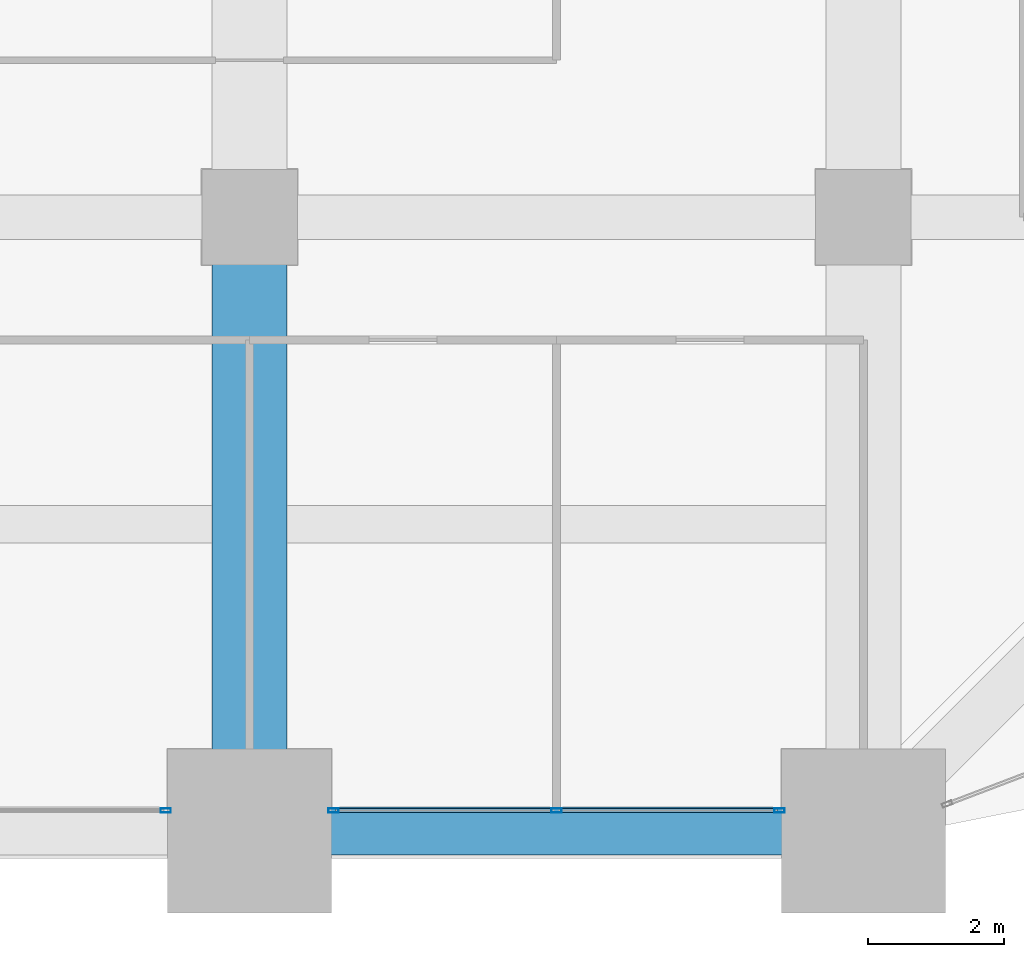
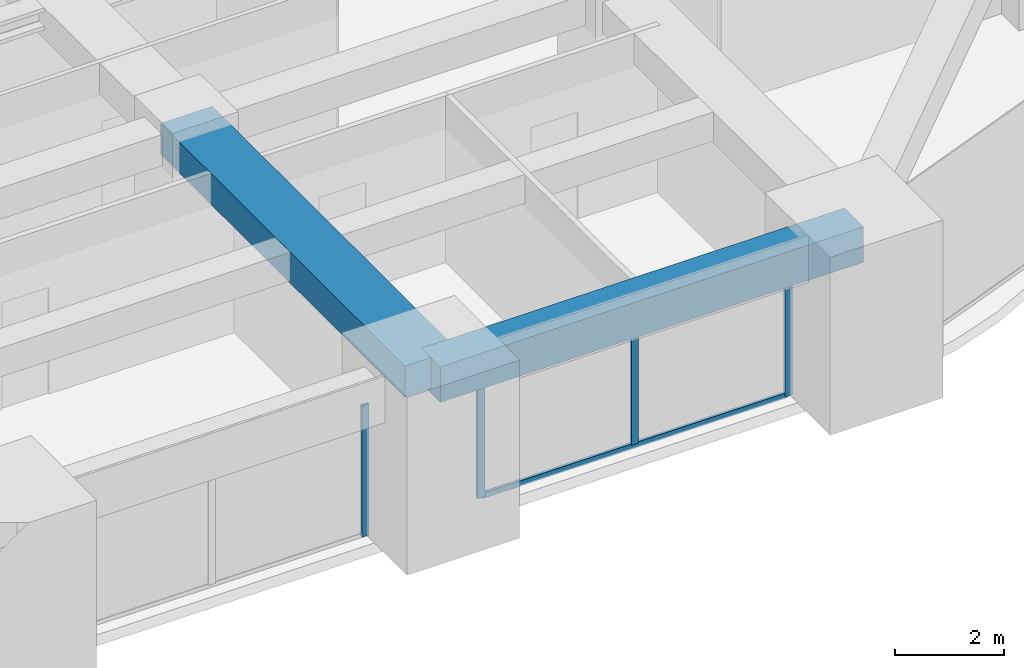
# One storey, part 13 of 34: 5 members, 2 beams, 2 elements without a shape of their own.
"""IFC4 building model written with IfcOpenShell, lengths in metres."""

from ifc_helpers import new_model, si_unit, direction, frame, origin, origin_2d, place, context, subcontext, project, spatial, rectangle, hollow_rectangle, extrude, material, material_profile, profile_set, type_object, element, aggregate, save


model = new_model("IFC4")

# Units and contexts
model_context = context("Model", 3, precision=1e-05, world=origin(), true_north=direction((0.0, 1.0)))
body_context = subcontext(model_context, "Body", "Model", "MODEL_VIEW")
ifc_project = project(units=[si_unit("LENGTHUNIT", "METRE"), si_unit("AREAUNIT", "SQUARE_METRE"), si_unit("VOLUMEUNIT", "CUBIC_METRE"), si_unit("PLANEANGLEUNIT", "RADIAN"), si_unit("MASSUNIT", "GRAM", prefix="KILO")], contexts=[model_context])

# Site, building, storey
site_placement = place(None, origin())
site = spatial("IfcSite", under=ifc_project, at=site_placement, CompositionType="ELEMENT")
building_placement = place(site_placement, origin())
building = spatial("IfcBuilding", under=site, at=building_placement, Name="Zorevar Civic Tower", CompositionType="ELEMENT")
storey_placement = place(building_placement, frame((0.0, 0.0, 214.199951171875)))
storey = spatial("IfcBuildingStorey", under=building, at=storey_placement, Name="L52", CompositionType="ELEMENT", Elevation=214.199951171875)

# Beam
ifc_material_1 = material(Name="Concrete C50/60", Category="concrete")
ifc_material_profile_1 = material_profile(ifc_material_1, rectangle(XDim=1.10009765625, YDim=0.699951171875, at=origin_2d()), Name="RC 1100x700")
ifc_profile_set_1 = profile_set([ifc_material_profile_1], Name="Concrete C50/60")
beam_type_1 = type_object("IfcBeamType", Name="Beam RC 1100x700", PredefinedType="BEAM", material=ifc_profile_set_1)
beam_1_placement = place(storey_placement, frame((36.0, 0.0, 3.400146484375), z_axis=(0.0, 1.0, 0.0), x_axis=(-1.0, 0.0, 0.0)))
element("IfcBeam", 1, at=beam_1_placement, inside=storey, type_object=beam_type_1, Name="Girder L53", PredefinedType="BEAM", context=body_context, shape_type="SweptSolid", body=[
    extrude(rectangle(XDim=1.10009765625, YDim=0.699951171875, at=origin_2d()), origin(), (0.0, 0.0, 1.0), 9.0),
])

# Curtain wall, member
ifc_material_2 = material(Name="Dark grey solar-control glass in black aluminium frame", Category="aluminium")
curtain_wall_type = type_object("IfcCurtainWallType", Name="Curtain wall CW4 high zone", PredefinedType="NOTDEFINED", material=ifc_material_2)
curtain_wall_1_placement = place(storey_placement, origin())
curtain_wall_1 = element("IfcCurtainWall", 2, at=curtain_wall_1_placement, inside=storey, type_object=curtain_wall_type, Name="CW4 L52", PredefinedType="NOTDEFINED")
ifc_material_3 = material(Name="Aluminium, black anodised", Category="aluminium")
ifc_material_profile_2 = material_profile(ifc_material_3, hollow_rectangle(XDim=0.06005859375, YDim=0.14990234375, WallThickness=0.00390625, at=origin_2d()), Name="AL 150x60x4")
ifc_profile_set_2 = profile_set([ifc_material_profile_2], Name="Aluminium, black anodised")
member_type_1 = type_object("IfcMemberType", Name="CW4 mullion AL 150x60x4", PredefinedType="MULLION", material=ifc_profile_set_2)
member_1_placement = place(storey_placement, frame((34.77001953125, 0.300048828125, 0.0), z_axis=(0.0, 0.0, 1.0), x_axis=(0.0, 1.0, 0.0)))
member_1 = element("IfcMember", 3, at=member_1_placement, type_object=member_type_1, Name="CW4 mullion 3", PredefinedType="MULLION", context=body_context, shape_type="SweptSolid", body=[
    extrude(hollow_rectangle(XDim=0.06005859375, YDim=0.14990234375, WallThickness=0.00390625, at=origin_2d()), origin(), (0.0, 0.0, 1.0), 2.949951171875),
])
aggregate(curtain_wall_1, [member_1])

# Curtain wall, members
curtain_wall_2_placement = place(storey_placement, origin())
curtain_wall_2 = element("IfcCurtainWall", 4, at=curtain_wall_2_placement, inside=storey, type_object=curtain_wall_type, Name="CW4 L52", PredefinedType="NOTDEFINED")
member_2_placement = place(storey_placement, frame((37.22998046875, 0.300048828125, 0.0), z_axis=(0.0, 0.0, 1.0), x_axis=(0.0, 1.0, 0.0)))
member_2 = element("IfcMember", 5, at=member_2_placement, type_object=member_type_1, Name="CW4 mullion 1", PredefinedType="MULLION", context=body_context, shape_type="SweptSolid", body=[
    extrude(hollow_rectangle(XDim=0.06005859375, YDim=0.14990234375, WallThickness=0.00390625, at=origin_2d()), origin(), (0.0, 0.0, 1.0), 2.949951171875),
])
member_3_placement = place(storey_placement, frame((40.5, 0.300048828125, 0.06005859375), z_axis=(0.0, 0.0, 1.0), x_axis=(0.0, 1.0, 0.0)))
member_3 = element("IfcMember", 6, at=member_3_placement, type_object=member_type_1, Name="CW4 mullion 2", PredefinedType="MULLION", context=body_context, shape_type="SweptSolid", body=[
    extrude(hollow_rectangle(XDim=0.06005859375, YDim=0.14990234375, WallThickness=0.00390625, at=origin_2d()), origin(), (0.0, 0.0, 1.0), 2.889892578125),
])
member_4_placement = place(storey_placement, frame((43.77001953125, 0.300048828125, 0.0), z_axis=(0.0, 0.0, 1.0), x_axis=(0.0, 1.0, 0.0)))
member_4 = element("IfcMember", 7, at=member_4_placement, type_object=member_type_1, Name="CW4 mullion 3", PredefinedType="MULLION", context=body_context, shape_type="SweptSolid", body=[
    extrude(hollow_rectangle(XDim=0.06005859375, YDim=0.14990234375, WallThickness=0.00390625, at=origin_2d()), origin(), (0.0, 0.0, 1.0), 2.949951171875),
])
ifc_material_4 = material(Name="Aluminium, black anodised", Category="aluminium")
ifc_material_profile_3 = material_profile(ifc_material_4, hollow_rectangle(XDim=0.06005859375, YDim=0.1201171875, WallThickness=0.0029296875, at=origin_2d()), Name="AL 120x60x3")
ifc_profile_set_3 = profile_set([ifc_material_profile_3], Name="Aluminium, black anodised")
member_type_2 = type_object("IfcMemberType", Name="CW4 transom AL 120x60x3", PredefinedType="USERDEFINED", material=ifc_profile_set_3)
member_5_placement = place(storey_placement, frame((37.260009765625, 0.300048828125, 0.030029296875), z_axis=(1.0, 0.0, 0.0), x_axis=(0.0, 1.0, 0.0)))
member_5 = element("IfcMember", 8, at=member_5_placement, type_object=member_type_2, Name="CW4 sill transom", ObjectType="TRANSOM", PredefinedType="USERDEFINED", context=body_context, shape_type="SweptSolid", body=[
    extrude(hollow_rectangle(XDim=0.06005859375, YDim=0.1201171875, WallThickness=0.0029296875, at=origin_2d()), origin(), (0.0, 0.0, 1.0), 6.47998046875),
])
aggregate(curtain_wall_2, [member_2, member_3, member_4, member_5])

# Beam
ifc_material_5 = material(Name="Concrete C50/60", Category="concrete")
ifc_material_profile_4 = material_profile(ifc_material_5, rectangle(XDim=0.699951171875, YDim=0.800048828125, at=origin_2d()), Name="RC 700x800")
ifc_profile_set_4 = profile_set([ifc_material_profile_4], Name="Concrete C50/60")
beam_type_2 = type_object("IfcBeamType", Name="Edge beam RC 700x800", PredefinedType="SPANDREL", material=ifc_profile_set_4)
beam_2_placement = place(storey_placement, frame((36.0, 0.0, 3.35009765625), z_axis=(1.0, 0.0, 0.0), x_axis=(0.0, 1.0, 0.0)))
element("IfcBeam", 9, at=beam_2_placement, inside=storey, type_object=beam_type_2, Name="Edge beam L53", PredefinedType="SPANDREL", context=body_context, shape_type="SweptSolid", body=[
    extrude(rectangle(XDim=0.699951171875, YDim=0.800048828125, at=origin_2d()), origin(), (0.0, 0.0, 1.0), 9.0),
])

save(model, "model.ifc")
